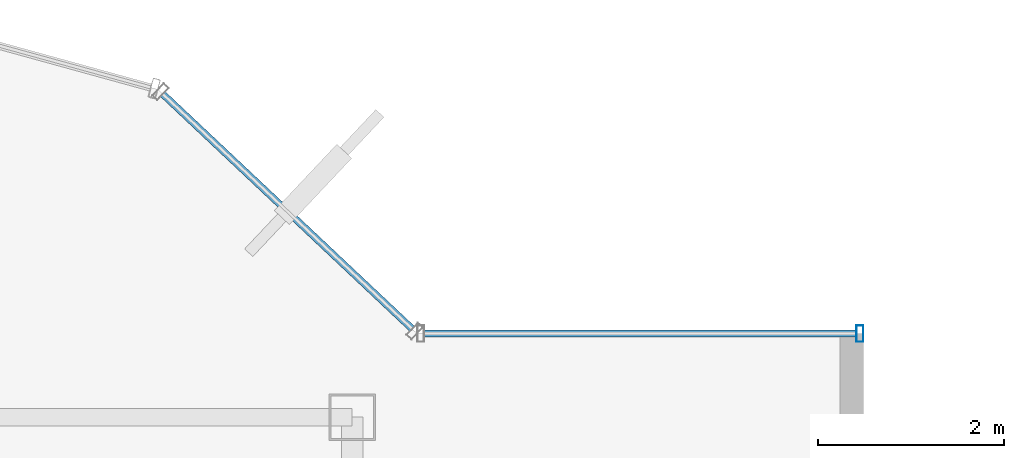
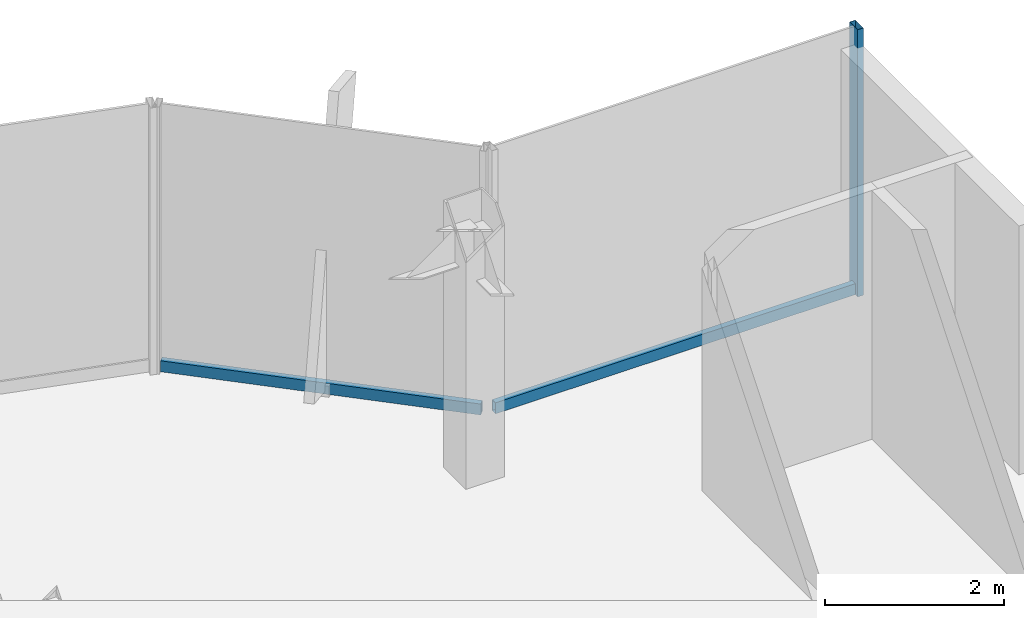
# One storey, part 15 of 22: 3 members, 2 elements without a shape of their own.
"""IFC4 building model written with IfcOpenShell, lengths in metres."""

import ifcopenshell
import ifcopenshell.guid

model = None  # the IFC model being written
_history = None  # IfcOwnerHistory: only IFC2X3 demands one
_inside = {}  # id of a spatial element -> (the spatial element, [elements in it])
_under = {}  # id of a project, library or spatial element -> (it, [spatial elements below it])
_declared = {}  # id of a project -> (the project, [libraries it declares])
_typed = {}  # id of a type object -> (the type object, [elements of that type])
_made_of = {}  # id of a material, layer set ... -> (it, [elements and type objects made of it])


def new_model(schema):
    """Start an empty IFC model of exactly this schema.

    Asked for "IFC4X3", IfcOpenShell would pick the latest addendum, in which some entities
    have other attributes; the version numbers below select the first issue.
    IFC2X3 requires an IfcOwnerHistory on every rooted entity: one is made here for all.
    """
    global model, _history
    if schema == "IFC4X3":
        model = ifcopenshell.file(schema_version=(4, 3, 0, 0))
    else:
        model = ifcopenshell.file(schema=schema)
    _inside.clear()
    _under.clear()
    _declared.clear()
    _typed.clear()
    _made_of.clear()
    _history = None
    if model.schema == "IFC2X3":
        org = make("IfcOrganization", Name="unknown")
        user = make(
            "IfcPersonAndOrganization",
            ThePerson=make("IfcPerson", FamilyName="unknown"),
            TheOrganization=org,
        )
        app = make(
            "IfcApplication",
            ApplicationDeveloper=org,
            Version="unknown",
            ApplicationFullName="unknown",
            ApplicationIdentifier="unknown",
        )
        _history = make(
            "IfcOwnerHistory",
            OwningUser=user,
            OwningApplication=app,
            ChangeAction="ADDED",
            CreationDate=0,
        )
    return model


def make(cls, **values):
    """One entity of the class cls with the attributes given. An attribute that is None is left unset."""
    return model.create_entity(
        cls, **{name: value for name, value in values.items() if value is not None}
    )


def rooted(cls, **values):
    """An entity with a GlobalId (a new one), such as an element, a storey or a relation."""
    return make(cls, GlobalId=ifcopenshell.guid.new(), OwnerHistory=_history, **values)


def si_unit(unit_type, name, prefix=None):
    """IfcSIUnit, for example si_unit("LENGTHUNIT", "METRE", prefix="MILLI")."""
    return make("IfcSIUnit", UnitType=unit_type, Prefix=prefix, Name=name)


def derived_unit(unit_type, elements):
    """IfcDerivedUnit: a product of units, each with its exponent."""
    return make(
        "IfcDerivedUnit",
        Elements=[
            make("IfcDerivedUnitElement", Unit=unit, Exponent=power)
            for unit, power in elements
        ],
        UnitType=unit_type,
    )


def assignment(units):
    """IfcUnitAssignment: the units of a project."""
    return None if units is None else make("IfcUnitAssignment", Units=units)


def point(xyz):
    """IfcCartesianPoint."""
    return None if xyz is None else make("IfcCartesianPoint", Coordinates=xyz)


def direction(xyz):
    """IfcDirection."""
    return None if xyz is None else make("IfcDirection", DirectionRatios=xyz)


def frame(location, z_axis=None, x_axis=None):
    """IfcAxis2Placement3D, a coordinate frame: its origin and axes. An axis left out is left unset."""
    return make(
        "IfcAxis2Placement3D",
        Location=point(location),
        Axis=direction(z_axis),
        RefDirection=direction(x_axis),
    )


def frame_2d(location, x_axis=None):
    """IfcAxis2Placement2D, a coordinate frame in the plane: its origin and x axis."""
    return make(
        "IfcAxis2Placement2D", Location=point(location), RefDirection=direction(x_axis)
    )


def origin():
    """The frame at (0, 0, 0) with its axes left unset."""
    return frame((0.0, 0.0, 0.0))


def origin_2d():
    """The frame at (0, 0) in the plane with its x axis left unset."""
    return frame_2d((0.0, 0.0))


def place(relative_to, where):
    """IfcLocalPlacement: puts the frame where relative to a parent placement (None: the world)."""
    return make(
        "IfcLocalPlacement", PlacementRelTo=relative_to, RelativePlacement=where
    )


def context(
    kind, dimensions, precision=None, world=None, true_north=None, identifier=None
):
    """IfcGeometricRepresentationContext, for example the 3D "Model" context."""
    return make(
        "IfcGeometricRepresentationContext",
        ContextIdentifier=identifier,
        ContextType=kind,
        CoordinateSpaceDimension=dimensions,
        Precision=precision,
        WorldCoordinateSystem=world,
        TrueNorth=true_north,
    )


def subcontext(parent, identifier, kind, view, scale=None):
    """IfcGeometricRepresentationSubContext, for example "Body" below "Model"."""
    return make(
        "IfcGeometricRepresentationSubContext",
        ContextIdentifier=identifier,
        ContextType=kind,
        ParentContext=parent,
        TargetScale=scale,
        TargetView=view,
    )


def project(units=None, contexts=None):
    """IfcProject with its units and contexts."""
    return rooted(
        "IfcProject",
        Name="project",
        RepresentationContexts=contexts,
        UnitsInContext=assignment(units),
    )


def spatial(cls, under=None, at=None, **own):
    """A site, building, storey or space (cls), placed at a placement, below another one or the project."""
    s = rooted(cls, ObjectPlacement=at, **own)
    if under is not None:
        _under.setdefault(under.id(), (under, []))[1].append(s)
    return s


def profile(cls, at=None, kind="AREA", **sizes):
    """A parametric profile (cls). Its sizes go by their IFC names, for example OverallWidth=200.0."""
    return make(cls, ProfileType=kind, Position=at, **sizes)


def hollow_rectangle(**sizes):
    """IfcRectangleHollowProfileDef."""
    return profile("IfcRectangleHollowProfileDef", **sizes)


def extrude(swept, where, along, depth):
    """IfcExtrudedAreaSolid: the profile swept, set in the frame where, extruded along a direction by depth."""
    return make(
        "IfcExtrudedAreaSolid",
        SweptArea=swept,
        Position=where,
        ExtrudedDirection=direction(along),
        Depth=depth,
    )


def shape(context_of_items, identifier, shape_type, items):
    """IfcShapeRepresentation: the items that make up one representation, for example the "Body"."""
    return make(
        "IfcShapeRepresentation",
        ContextOfItems=context_of_items,
        RepresentationIdentifier=identifier,
        RepresentationType=shape_type,
        Items=items,
    )


def source(mapping_origin, context_of_items, identifier, shape_type, items):
    """IfcRepresentationMap: a shape defined once, which mapped items show again and again."""
    return make(
        "IfcRepresentationMap",
        MappingOrigin=mapping_origin,
        MappedRepresentation=shape(context_of_items, identifier, shape_type, items),
    )


def transform(
    local_origin,
    x_axis=None,
    y_axis=None,
    z_axis=None,
    scale=None,
    scale2=None,
    scale3=None,
    uniform=True,
):
    """IfcCartesianTransformationOperator3D, or its non-uniform kind. x_axis, y_axis, z_axis: its Axis1, 2, 3."""
    if uniform:
        return make(
            "IfcCartesianTransformationOperator3D",
            Axis1=direction(x_axis),
            Axis2=direction(y_axis),
            LocalOrigin=point(local_origin),
            Scale=scale,
            Axis3=direction(z_axis),
        )
    return make(
        "IfcCartesianTransformationOperator3DnonUniform",
        Axis1=direction(x_axis),
        Axis2=direction(y_axis),
        LocalOrigin=point(local_origin),
        Scale=scale,
        Axis3=direction(z_axis),
        Scale2=scale2,
        Scale3=scale3,
    )


def mapped(mapping_source, mapping_target):
    """IfcMappedItem: shows the shape of a source again, moved by a transform."""
    return make(
        "IfcMappedItem", MappingSource=mapping_source, MappingTarget=mapping_target
    )


def material(Name=None, Category=None):
    """IfcMaterial."""
    return make("IfcMaterial", Name=Name, Category=Category)


def material_profile(
    of_material, cross_section, Name=None, Category=None, Priority=None
):
    """IfcMaterialProfile: a cross section and its material."""
    return make(
        "IfcMaterialProfile",
        Name=Name,
        Material=of_material,
        Profile=cross_section,
        Priority=Priority,
        Category=Category,
    )


def profile_set(profiles, Name=None, composite=None):
    """IfcMaterialProfileSet."""
    return make(
        "IfcMaterialProfileSet",
        Name=Name,
        MaterialProfiles=profiles,
        CompositeProfile=composite,
    )


def made_of(thing, what):
    """Note that an element or type object is made of a material, layer set ...; save() writes the relation."""
    if what is not None:
        _made_of.setdefault(what.id(), (what, []))[1].append(thing)
    return thing


def type_object(cls, material=None, **own):
    """A type object (cls), such as IfcWallType, which elements share."""
    return made_of(rooted(cls, **own), material)


def element(
    cls,
    number,
    at=None,
    inside=None,
    cuts=None,
    type_object=None,
    material=None,
    context=None,
    identifier="Body",
    shape_type=None,
    held_by="IfcProductDefinitionShape",
    body=None,
    shapes=None,
    **own,
):
    """One element of the class cls, such as IfcWall. Its Tag is "e" and its number.

    at: its placement. inside: the storey or other place that contains it. cuts: it is an
    opening in that element (IfcRelVoidsElement). A single representation is given by context,
    identifier, shape_type and body (its items); several are given by shapes. held_by: the class
    of the entity that holds the representations. save() writes the other relations.
    """
    e = rooted(cls, Tag="e%d" % number, ObjectPlacement=at, **own)
    if body is not None:
        shapes = [shape(context, identifier, shape_type, body)]
    if shapes is not None:
        e.Representation = make(held_by, Representations=shapes)
    if inside is not None:
        _inside.setdefault(inside.id(), (inside, []))[1].append(e)
    if cuts is not None:
        rooted(
            "IfcRelVoidsElement", RelatingBuildingElement=cuts, RelatedOpeningElement=e
        )
    if type_object is not None:
        _typed.setdefault(type_object.id(), (type_object, []))[1].append(e)
    return made_of(e, material)


def aggregate(whole, parts):
    """IfcRelAggregates: a whole, such as a stair, and the parts it consists of."""
    return rooted("IfcRelAggregates", RelatingObject=whole, RelatedObjects=parts)


def save(model, path):
    """Write the relations noted so far, then the file.

    IfcRelAggregates (storeys below a building ...), IfcRelContainedInSpatialStructure (elements
    in a storey), IfcRelDefinesByType, IfcRelAssociatesMaterial and IfcRelDeclares: one each for
    every whole, place, type object, material and project.
    """
    for whole, parts in _under.values():
        aggregate(whole, parts)
    for where, things in _inside.values():
        rooted(
            "IfcRelContainedInSpatialStructure",
            RelatedElements=things,
            RelatingStructure=where,
        )
    for kind, things in _typed.values():
        rooted("IfcRelDefinesByType", RelatedObjects=things, RelatingType=kind)
    for what, things in _made_of.values():
        rooted("IfcRelAssociatesMaterial", RelatedObjects=things, RelatingMaterial=what)
    for by, libraries in _declared.values():
        rooted("IfcRelDeclares", RelatingContext=by, RelatedDefinitions=libraries)
    model.write(path)


model = new_model("IFC4")

# Units and contexts
model_context = context("Model", 3, precision=1e-05, world=origin(), true_north=direction((0.0, 1.0)))
body_context = subcontext(model_context, "Body", "Model", "MODEL_VIEW")
ifc_project = project(units=[si_unit("LENGTHUNIT", "METRE"), si_unit("AREAUNIT", "SQUARE_METRE"), si_unit("VOLUMEUNIT", "CUBIC_METRE"), si_unit("PLANEANGLEUNIT", "RADIAN"), si_unit("MASSUNIT", "GRAM", prefix="KILO"), derived_unit("THERMALTRANSMITTANCEUNIT", [(si_unit("POWERUNIT", "WATT"), 1), (si_unit("LENGTHUNIT", "METRE"), -2), (si_unit("THERMODYNAMICTEMPERATUREUNIT", "KELVIN"), -1)])], contexts=[model_context])

# Site, building, storey
site_placement = place(None, origin())
site = spatial("IfcSite", under=ifc_project, at=site_placement, CompositionType="ELEMENT")
building_placement = place(site_placement, origin())
building = spatial("IfcBuilding", under=site, at=building_placement, Name="Skarnbrae Concourse Arena and Tower", CompositionType="ELEMENT")
storey_placement = place(building_placement, frame((0.0, 0.0, 258.800048828125)))
storey = spatial("IfcBuildingStorey", under=building, at=storey_placement, Name="L67", CompositionType="ELEMENT", Elevation=258.800048828125)

# Curtain wall, members
ifc_material = material(Name="Bronze anodised aluminium 6063-T6", Category="aluminium")
curtain_wall_type = type_object("IfcCurtainWallType", Name="CW-SYS-05-HIGHZONE", PredefinedType="USERDEFINED", material=ifc_material)
curtain_wall_1_placement = place(storey_placement, origin())
curtain_wall_1 = element("IfcCurtainWall", 1, at=curtain_wall_1_placement, inside=storey, type_object=curtain_wall_type, Name="L67 Unitised curtain wall CW-L67-E07", ObjectType="UNITISED CURTAIN WALL", PredefinedType="USERDEFINED")
ifc_material_profile_1 = material_profile(ifc_material, hollow_rectangle(XDim=0.074951171875, YDim=0.179931640625, WallThickness=0.00390625, at=origin_2d()), Name="ALU-MULL-75X180")
ifc_profile_set_1 = profile_set([ifc_material_profile_1], Name="Bronze anodised aluminium 6063-T6")
member_type_1 = type_object("IfcMemberType", Name="CWM-CW-05", PredefinedType="MULLION", material=ifc_profile_set_1)
shared_shape_1 = source(origin(), body_context, "Body", "SweptSolid", [
    extrude(hollow_rectangle(XDim=0.074951171875, YDim=0.179931640625, WallThickness=0.00390625, at=origin_2d()), origin(), (0.0, 0.0, 1.0), 3.64990234375),
])
member_1_placement = place(storey_placement, frame((38.96240234375, 35.300048828125, 0.0), z_axis=(0.0, 0.0, 1.0), x_axis=(-1.0, 0.0, 0.0)))
member_1 = element("IfcMember", 2, at=member_1_placement, type_object=member_type_1, Name="CW-L67-E07 Mullion 1", PredefinedType="MULLION", context=body_context, shape_type="MappedRepresentation", body=[
    mapped(shared_shape_1, transform((0.0, 0.0, 0.0))),
])
ifc_material_profile_2 = material_profile(ifc_material, hollow_rectangle(XDim=0.074951171875, YDim=0.14990234375, WallThickness=0.00390625, at=origin_2d()), Name="ALU-TRAN-75X150")
ifc_profile_set_2 = profile_set([ifc_material_profile_2], Name="Bronze anodised aluminium 6063-T6")
member_type_2 = type_object("IfcMemberType", Name="CWT-CW-05", PredefinedType="USERDEFINED", material=ifc_profile_set_2)
shared_shape_2 = source(origin(), body_context, "Body", "SweptSolid", [
    extrude(hollow_rectangle(XDim=0.074951171875, YDim=0.14990234375, WallThickness=0.00390625, at=origin_2d()), origin(), (0.0, 0.0, 1.0), 4.650146484375),
])
member_2_placement = place(storey_placement, frame((38.925048828125, 35.300048828125, 0.074951171875), z_axis=(-1.0, 0.0, 0.0), x_axis=(0.0, -1.0, 0.0)))
member_2 = element("IfcMember", 3, at=member_2_placement, type_object=member_type_2, Name="CW-L67-E07 Transom 1", ObjectType="TRANSOM", PredefinedType="USERDEFINED", context=body_context, shape_type="MappedRepresentation", body=[
    mapped(shared_shape_2, transform((0.0, 0.0, 0.0))),
])
aggregate(curtain_wall_1, [member_1, member_2])

# Curtain wall, member
curtain_wall_2_placement = place(storey_placement, origin())
curtain_wall_2 = element("IfcCurtainWall", 4, at=curtain_wall_2_placement, inside=storey, type_object=curtain_wall_type, Name="L67 Unitised curtain wall CW-L67-E08", ObjectType="UNITISED CURTAIN WALL", PredefinedType="USERDEFINED")
shared_shape_3 = source(origin(), body_context, "Body", "SweptSolid", [
    extrude(hollow_rectangle(XDim=0.074951171875, YDim=0.14990234375, WallThickness=0.00390625, at=origin_2d()), origin(), (0.0, 0.0, 1.0), 3.68212890625),
])
member_3_placement = place(storey_placement, frame((34.1455078125, 35.351318359375, 0.074951171875), z_axis=(-0.728133808476, 0.685435012933, 0.0), x_axis=(-0.685435012933, -0.728133808476, 0.0)))
member_3 = element("IfcMember", 5, at=member_3_placement, type_object=member_type_2, Name="CW-L67-E08 Transom 1", ObjectType="TRANSOM", PredefinedType="USERDEFINED", context=body_context, shape_type="MappedRepresentation", body=[
    mapped(shared_shape_3, transform((0.0, 0.0, 0.0))),
])
aggregate(curtain_wall_2, [member_3])

save(model, "model.ifc")
